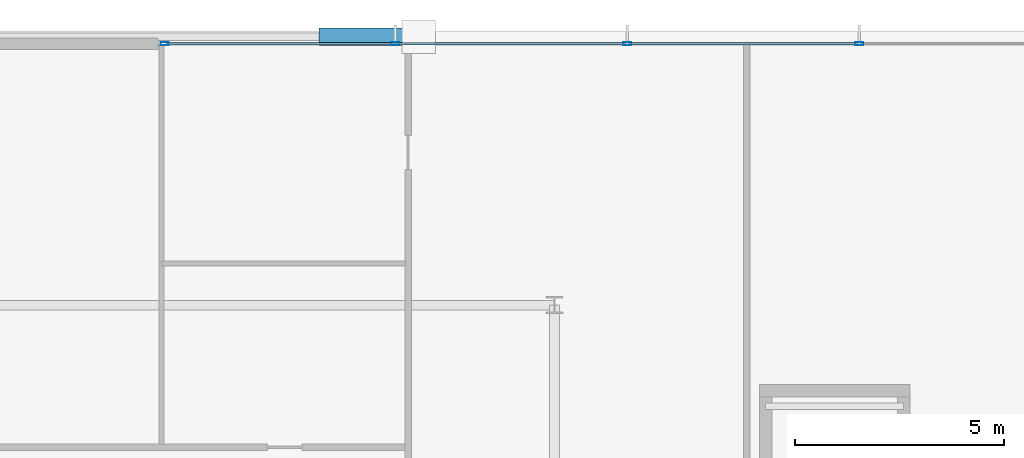
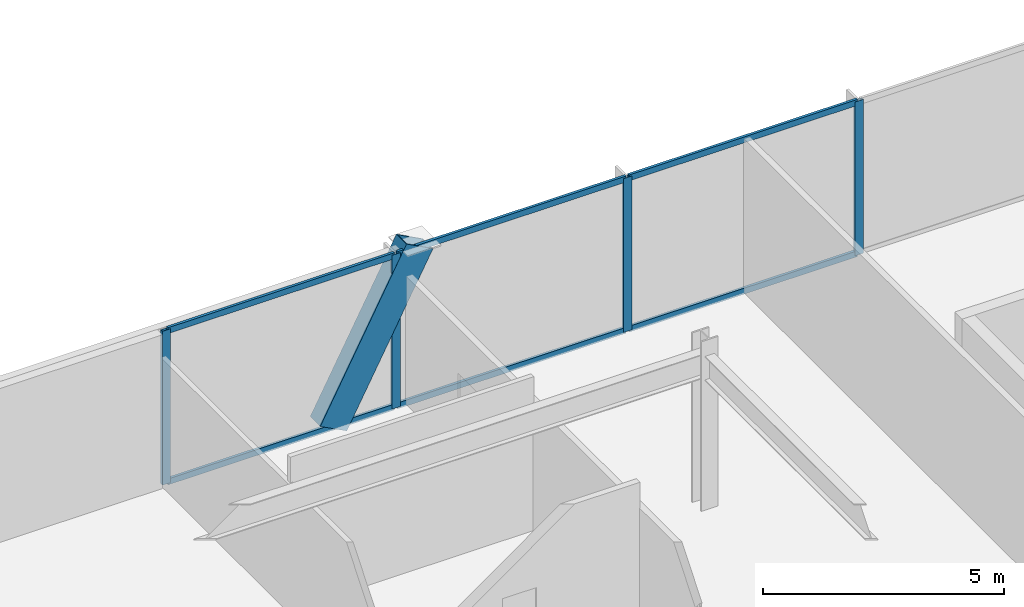
# One storey, part 34 of 46: 11 members, 1 element without a shape of its own.
"""IFC4 building model written with IfcOpenShell, lengths in metres."""

from ifc_helpers import new_model, si_unit, direction, frame, origin, origin_2d, place, context, subcontext, project, spatial, hollow_rectangle, extrude, material, layer, layer_set, material_profile, profile_set, type_object, element, aggregate, save


model = new_model("IFC4")

# Units and contexts
model_context = context("Model", 3, precision=1e-05, world=origin(), true_north=direction((0.0, 1.0)))
body_context = subcontext(model_context, "Body", "Model", "MODEL_VIEW")
ifc_project = project(units=[si_unit("LENGTHUNIT", "METRE"), si_unit("AREAUNIT", "SQUARE_METRE"), si_unit("VOLUMEUNIT", "CUBIC_METRE"), si_unit("PLANEANGLEUNIT", "RADIAN"), si_unit("MASSUNIT", "GRAM", prefix="KILO")], contexts=[model_context])

# Site, building, storey
site_placement = place(None, origin())
site = spatial("IfcSite", under=ifc_project, at=site_placement, CompositionType="ELEMENT")
building_placement = place(site_placement, origin())
building = spatial("IfcBuilding", under=site, at=building_placement, Name="Orvanel Arch Residences", CompositionType="ELEMENT")
storey_placement = place(building_placement, frame((0.0, 0.0, 14.10009765625)))
storey = spatial("IfcBuildingStorey", under=building, at=storey_placement, Name="L03", CompositionType="ELEMENT", Elevation=14.10009765625)

# Member
ifc_material_1 = material(Name="Structural steel AS/NZS 3678 Grade 350", Category="steel")
ifc_material_profile_1 = material_profile(ifc_material_1, hollow_rectangle(XDim=0.419921875, YDim=0.719970703125, WallThickness=0.02490234375, at=origin_2d()), Name="RHS720x420x25")
ifc_profile_set_1 = profile_set([ifc_material_profile_1], Name="Structural steel AS/NZS 3678 Grade 350")
member_type_1 = type_object("IfcMemberType", Name="BR-720RHS-EXT", PredefinedType="BRACE", material=ifc_profile_set_1)
member_1_placement = place(storey_placement, frame((40.881103515625, 54.419921875, 0.0), z_axis=(0.468629499689, 0.0, 0.883394810955), x_axis=(0.0, 1.0, 0.0)))
element("IfcMember", 1, at=member_1_placement, inside=storey, type_object=member_type_1, Name="L03 Podium Multi-Storey V-Strut Pair N2 Leg 2", PredefinedType="BRACE", context=body_context, shape_type="SweptSolid", body=[
    extrude(hollow_rectangle(XDim=0.419921875, YDim=0.719970703125, WallThickness=0.02490234375, at=origin_2d()), origin(), (0.0, 0.0, 1.0), 4.414794921875),
])

# Curtain wall, members
ifc_material_2 = material(Name="Bronze-anodised aluminium AA6063-T6", Category="aluminium")
ifc_layer = layer(ifc_material_2, 0.199951171875)
ifc_layer_set = layer_set([ifc_layer], Name="Bronze-anodised aluminium AA6063-T6")
curtain_wall_type = type_object("IfcCurtainWallType", Name="CW1-POD-SYS", PredefinedType="NOTDEFINED", material=ifc_layer_set)
curtain_wall_placement = place(storey_placement, origin())
curtain_wall = element("IfcCurtainWall", 2, at=curtain_wall_placement, inside=storey, type_object=curtain_wall_type, Name="L03 CW1-POD-SYS Unitised Curtain Wall", PredefinedType="NOTDEFINED")
ifc_material_profile_2 = material_profile(ifc_material_2, hollow_rectangle(XDim=0.074951171875, YDim=0.199951171875, WallThickness=0.0048828125, at=origin_2d()), Name="ALU200x75x5")
ifc_profile_set_2 = profile_set([ifc_material_profile_2], Name="Bronze-anodised aluminium AA6063-T6")
member_type_2 = type_object("IfcMemberType", Name="MUL-200x75", PredefinedType="MULLION", material=ifc_profile_set_2)
member_2_placement = place(storey_placement, frame((53.489990234375, 54.25, 0.0), z_axis=(0.0, 0.0, 1.0), x_axis=(0.0, -1.0, 0.0)))
member_2 = element("IfcMember", 3, at=member_2_placement, type_object=member_type_2, Name="CW-S1 mullion 3", PredefinedType="MULLION", context=body_context, shape_type="SweptSolid", body=[
    extrude(hollow_rectangle(XDim=0.074951171875, YDim=0.199951171875, WallThickness=0.0048828125, at=origin_2d()), origin(), (0.0, 0.0, 1.0), 3.89990234375),
])
member_3_placement = place(storey_placement, frame((47.93994140625, 54.25, 0.0), z_axis=(0.0, 0.0, 1.0), x_axis=(0.0, -1.0, 0.0)))
member_3 = element("IfcMember", 4, at=member_3_placement, type_object=member_type_2, Name="CW-S1 mullion 4", PredefinedType="MULLION", context=body_context, shape_type="SweptSolid", body=[
    extrude(hollow_rectangle(XDim=0.074951171875, YDim=0.199951171875, WallThickness=0.0048828125, at=origin_2d()), origin(), (0.0, 0.0, 1.0), 3.89990234375),
])
member_4_placement = place(storey_placement, frame((42.389892578125, 54.25, 0.0), z_axis=(0.0, 0.0, 1.0), x_axis=(0.0, -1.0, 0.0)))
member_4 = element("IfcMember", 5, at=member_4_placement, type_object=member_type_2, Name="CW-S1 mullion 5", PredefinedType="MULLION", context=body_context, shape_type="SweptSolid", body=[
    extrude(hollow_rectangle(XDim=0.074951171875, YDim=0.199951171875, WallThickness=0.0048828125, at=origin_2d()), origin(), (0.0, 0.0, 1.0), 3.89990234375),
])
member_5_placement = place(storey_placement, frame((36.87744140625, 54.25, 0.0), z_axis=(0.0, 0.0, 1.0), x_axis=(0.0, -1.0, 0.0)))
member_5 = element("IfcMember", 6, at=member_5_placement, type_object=member_type_2, Name="CW-S1 mullion 6", PredefinedType="MULLION", context=body_context, shape_type="SweptSolid", body=[
    extrude(hollow_rectangle(XDim=0.074951171875, YDim=0.199951171875, WallThickness=0.0048828125, at=origin_2d()), origin(), (0.0, 0.0, 1.0), 3.89990234375),
])
ifc_material_profile_3 = material_profile(ifc_material_2, hollow_rectangle(XDim=0.06494140625, YDim=0.14990234375, WallThickness=0.00390625, at=origin_2d()), Name="ALU150x65x4")
ifc_profile_set_3 = profile_set([ifc_material_profile_3], Name="Bronze-anodised aluminium AA6063-T6")
member_type_3 = type_object("IfcMemberType", Name="TRN-150x65", PredefinedType="USERDEFINED", material=ifc_profile_set_3)
member_6_placement = place(storey_placement, frame((53.452392578125, 54.25, 0.032470703125), z_axis=(-1.0, 0.0, 0.0), x_axis=(0.0, -1.0, 0.0)))
member_6 = element("IfcMember", 7, at=member_6_placement, type_object=member_type_3, Name="CW-S1 transom 3.1", ObjectType="TRANSOM", PredefinedType="USERDEFINED", context=body_context, shape_type="SweptSolid", body=[
    extrude(hollow_rectangle(XDim=0.06494140625, YDim=0.14990234375, WallThickness=0.00390625, at=origin_2d()), origin(), (0.0, 0.0, 1.0), 5.474853515625),
])
member_7_placement = place(storey_placement, frame((53.452392578125, 54.25, 3.867431640625), z_axis=(-1.0, 0.0, 0.0), x_axis=(0.0, -1.0, 0.0)))
member_7 = element("IfcMember", 8, at=member_7_placement, type_object=member_type_3, Name="CW-S1 transom 3.2", ObjectType="TRANSOM", PredefinedType="USERDEFINED", context=body_context, shape_type="SweptSolid", body=[
    extrude(hollow_rectangle(XDim=0.06494140625, YDim=0.14990234375, WallThickness=0.00390625, at=origin_2d()), origin(), (0.0, 0.0, 1.0), 5.474853515625),
])
member_8_placement = place(storey_placement, frame((47.902587890625, 54.25, 0.032470703125), z_axis=(-1.0, 0.0, 0.0), x_axis=(0.0, -1.0, 0.0)))
member_8 = element("IfcMember", 9, at=member_8_placement, type_object=member_type_3, Name="CW-S1 transom 4.1", ObjectType="TRANSOM", PredefinedType="USERDEFINED", context=body_context, shape_type="SweptSolid", body=[
    extrude(hollow_rectangle(XDim=0.06494140625, YDim=0.14990234375, WallThickness=0.00390625, at=origin_2d()), origin(), (0.0, 0.0, 1.0), 5.47509765625),
])
member_9_placement = place(storey_placement, frame((47.902587890625, 54.25, 3.867431640625), z_axis=(-1.0, 0.0, 0.0), x_axis=(0.0, -1.0, 0.0)))
member_9 = element("IfcMember", 10, at=member_9_placement, type_object=member_type_3, Name="CW-S1 transom 4.2", ObjectType="TRANSOM", PredefinedType="USERDEFINED", context=body_context, shape_type="SweptSolid", body=[
    extrude(hollow_rectangle(XDim=0.06494140625, YDim=0.14990234375, WallThickness=0.00390625, at=origin_2d()), origin(), (0.0, 0.0, 1.0), 5.47509765625),
])
member_10_placement = place(storey_placement, frame((42.3525390625, 54.25, 0.032470703125), z_axis=(-1.0, 0.0, 0.0), x_axis=(0.0, -1.0, 0.0)))
member_10 = element("IfcMember", 11, at=member_10_placement, type_object=member_type_3, Name="CW-S1 transom 5.1", ObjectType="TRANSOM", PredefinedType="USERDEFINED", context=body_context, shape_type="SweptSolid", body=[
    extrude(hollow_rectangle(XDim=0.06494140625, YDim=0.14990234375, WallThickness=0.00390625, at=origin_2d()), origin(), (0.0, 0.0, 1.0), 5.4375),
])
member_11_placement = place(storey_placement, frame((42.3525390625, 54.25, 3.867431640625), z_axis=(-1.0, 0.0, 0.0), x_axis=(0.0, -1.0, 0.0)))
member_11 = element("IfcMember", 12, at=member_11_placement, type_object=member_type_3, Name="CW-S1 transom 5.2", ObjectType="TRANSOM", PredefinedType="USERDEFINED", context=body_context, shape_type="SweptSolid", body=[
    extrude(hollow_rectangle(XDim=0.06494140625, YDim=0.14990234375, WallThickness=0.00390625, at=origin_2d()), origin(), (0.0, 0.0, 1.0), 5.4375),
])
aggregate(curtain_wall, [member_2, member_3, member_4, member_5, member_6, member_7, member_8, member_9, member_10, member_11])

save(model, "model.ifc")
